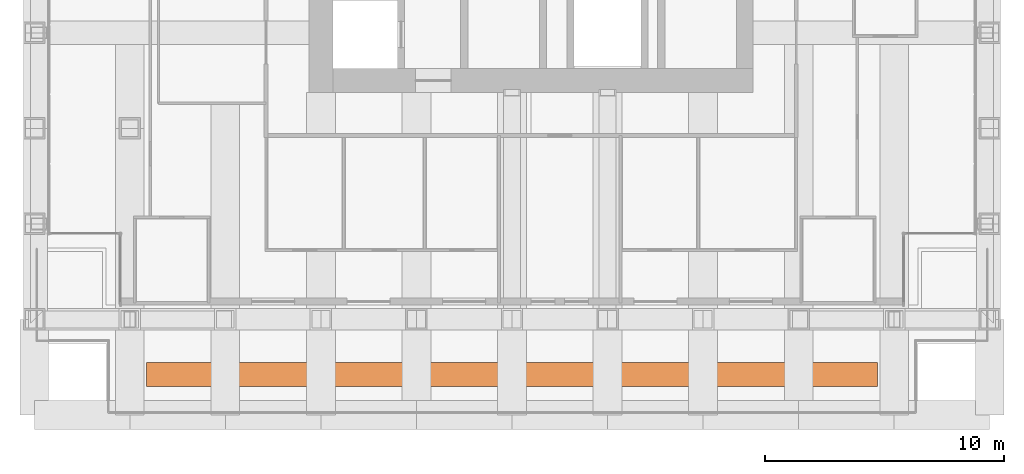
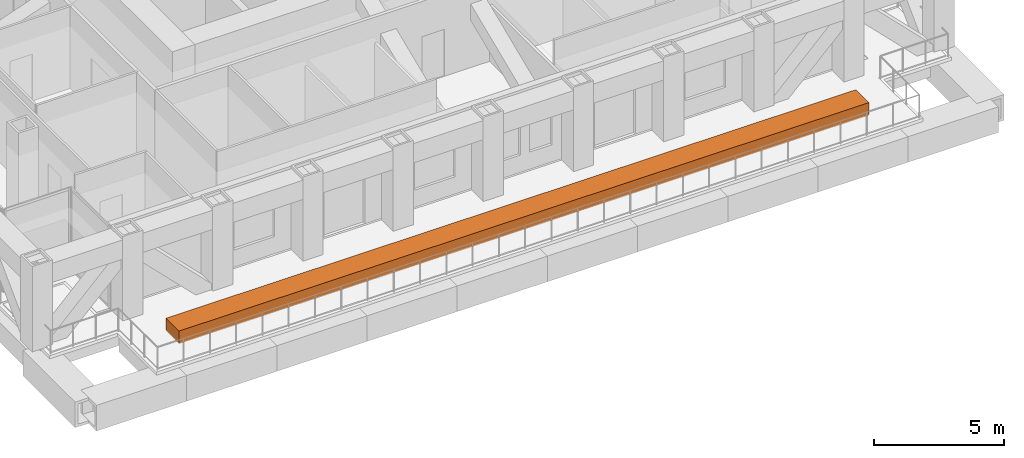
# One storey, part 16 of 16: 1 proxy.
"""IFC4 building model written with IfcOpenShell, lengths in metres."""

from ifc_helpers import new_model, si_unit, direction, frame, origin, origin_2d, place, context, subcontext, project, spatial, rectangle, extrude, element, save


model = new_model("IFC4")

# Units and contexts
model_context = context("Model", 3, precision=1e-05, world=origin(), true_north=direction((0.0, 1.0)))
body_context = subcontext(model_context, "Body", "Model", "MODEL_VIEW")
ifc_project = project(units=[si_unit("LENGTHUNIT", "METRE"), si_unit("AREAUNIT", "SQUARE_METRE"), si_unit("VOLUMEUNIT", "CUBIC_METRE"), si_unit("PLANEANGLEUNIT", "RADIAN"), si_unit("MASSUNIT", "GRAM", prefix="KILO")], contexts=[model_context])

# Site, building, storey
site_placement = place(None, origin())
site = spatial("IfcSite", under=ifc_project, at=site_placement, CompositionType="ELEMENT")
building_placement = place(site_placement, origin())
building = spatial("IfcBuilding", under=site, at=building_placement, Name="Rimbunsela Tower", CompositionType="ELEMENT")
storey_placement = place(building_placement, frame((0.0, 0.0, 171.800048828125)))
storey = spatial("IfcBuildingStorey", under=building, at=storey_placement, Name="L41", CompositionType="ELEMENT", Elevation=171.800048828125)

# Proxy
proxy_placement = place(storey_placement, frame((26.0, 5.699951171875, 0.0), z_axis=(0.0, 0.0, 1.0), x_axis=(1.0, 0.0, 0.0)))
element("IfcBuildingElementProxy", 1, at=proxy_placement, inside=storey, Name="Terrace planter L41", ObjectType="PLANTER", PredefinedType="USERDEFINED", context=body_context, shape_type="SweptSolid", body=[
    extrude(rectangle(XDim=30.60009765625, YDim=1.0, at=origin_2d()), origin(), (0.0, 0.0, 1.0), 0.60009765625),
])

save(model, "model.ifc")
